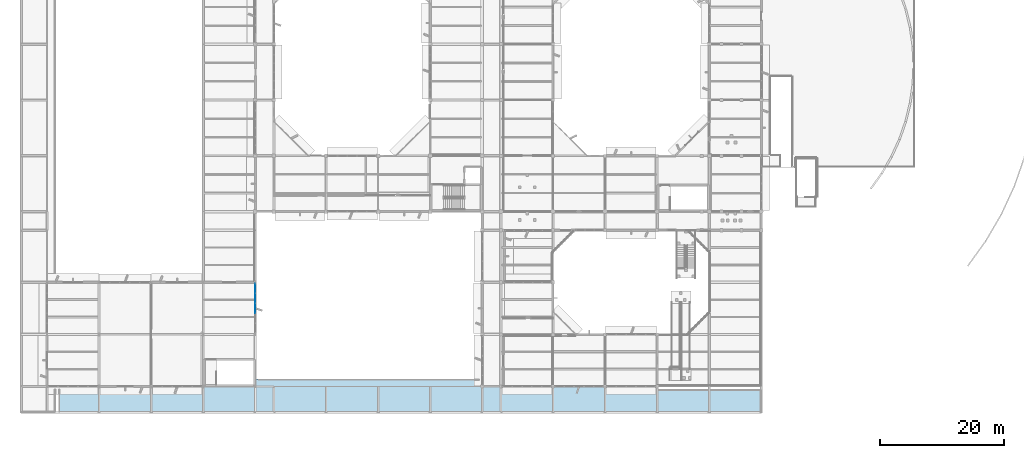
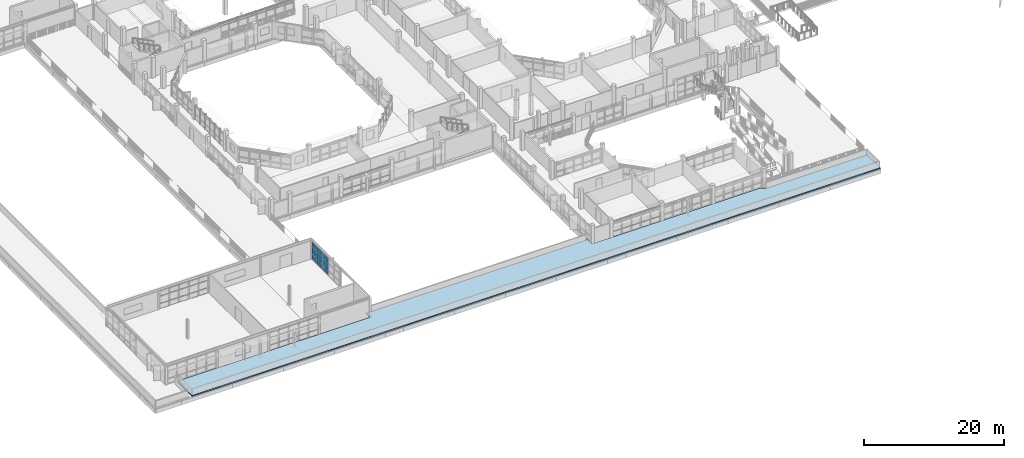
# One storey, part 44 of 92: 9 plates, 1 slab, 1 element without a shape of its own.
"""IFC4 building model written with IfcOpenShell, lengths in metres."""

from ifc_helpers import new_model, si_unit, direction, frame, origin, origin_2d, place, context, subcontext, project, spatial, polyline, rectangle, outline, extrude, material, layer, layer_set, type_object, element, aggregate, save


model = new_model("IFC4")

# Units and contexts
model_context = context("Model", 3, precision=1e-05, world=origin(), true_north=direction((0.0, 1.0)))
body_context = subcontext(model_context, "Body", "Model", "MODEL_VIEW")
ifc_project = project(units=[si_unit("LENGTHUNIT", "METRE"), si_unit("AREAUNIT", "SQUARE_METRE"), si_unit("VOLUMEUNIT", "CUBIC_METRE"), si_unit("PLANEANGLEUNIT", "RADIAN"), si_unit("MASSUNIT", "GRAM", prefix="KILO")], contexts=[model_context])

# Site, building, storey
site_placement = place(None, origin())
site = spatial("IfcSite", under=ifc_project, at=site_placement, CompositionType="ELEMENT")
building_placement = place(site_placement, origin())
building = spatial("IfcBuilding", under=site, at=building_placement, Name="Vanh Quang Courtyard School", CompositionType="ELEMENT")
storey_placement = place(building_placement, frame((0.0, 0.0, 7.800048828125)))
storey = spatial("IfcBuildingStorey", under=building, at=storey_placement, Name="L02", CompositionType="ELEMENT", Elevation=7.800048828125)

# Curtain wall, plates
ifc_material_1 = material(Name="Thermally broken aluminium unitised curtain wall", Category="aluminium")
curtain_wall_type = type_object("IfcCurtainWallType", Name="CW-SYS-46", PredefinedType="NOTDEFINED", material=ifc_material_1)
curtain_wall_placement = place(storey_placement, origin())
curtain_wall = element("IfcCurtainWall", 1, at=curtain_wall_placement, inside=storey, type_object=curtain_wall_type, Name="Curtain Wall CW-46 (L02)", PredefinedType="NOTDEFINED")
ifc_material_2 = material(Name="Low-E laminated double glazing", Category="glass")
ifc_layer_1 = layer(ifc_material_2, 0.031982421875)
ifc_layer_set_1 = layer_set([ifc_layer_1], Name="Low-E laminated double glazing")
plate_type = type_object("IfcPlateType", Name="CW-PNL-32", PredefinedType="CURTAIN_PANEL", material=ifc_layer_set_1)
plate_1_placement = place(storey_placement, frame((37.800048828125, 20.001708984375, 0.079833984375), z_axis=(0.0, 0.0, 1.0), x_axis=(0.0, -1.0, 0.0)))
plate_1 = element("IfcPlate", 2, at=plate_1_placement, type_object=plate_type, Name="CW-46 panel 1.1", PredefinedType="CURTAIN_PANEL", context=body_context, shape_type="SweptSolid", body=[
    extrude(rectangle(XDim=1.49072265625, YDim=0.031982421875, at=origin_2d()), origin(), (0.0, 0.0, 1.0), 0.830078125),
])
plate_2_placement = place(storey_placement, frame((37.800048828125, 20.001708984375, 0.98974609375), z_axis=(0.0, 0.0, 1.0), x_axis=(0.0, -1.0, 0.0)))
plate_2 = element("IfcPlate", 3, at=plate_2_placement, type_object=plate_type, Name="CW-46 panel 1.2", PredefinedType="CURTAIN_PANEL", context=body_context, shape_type="SweptSolid", body=[
    extrude(rectangle(XDim=1.49072265625, YDim=0.031982421875, at=origin_2d()), origin(), (0.0, 0.0, 1.0), 1.219970703125),
])
plate_3_placement = place(storey_placement, frame((37.800048828125, 20.001708984375, 2.289794921875), z_axis=(0.0, 0.0, 1.0), x_axis=(0.0, -1.0, 0.0)))
plate_3 = element("IfcPlate", 4, at=plate_3_placement, type_object=plate_type, Name="CW-46 panel 1.3", PredefinedType="CURTAIN_PANEL", context=body_context, shape_type="SweptSolid", body=[
    extrude(rectangle(XDim=1.49072265625, YDim=0.031982421875, at=origin_2d()), origin(), (0.0, 0.0, 1.0), 0.830078125),
])
plate_4_placement = place(storey_placement, frame((37.800048828125, 18.410888671875, 0.079833984375), z_axis=(0.0, 0.0, 1.0), x_axis=(0.0, -1.0, 0.0)))
plate_4 = element("IfcPlate", 5, at=plate_4_placement, type_object=plate_type, Name="CW-46 panel 2.1", PredefinedType="CURTAIN_PANEL", context=body_context, shape_type="SweptSolid", body=[
    extrude(rectangle(XDim=1.53076171875, YDim=0.031982421875, at=origin_2d()), origin(), (0.0, 0.0, 1.0), 0.830078125),
])
plate_5_placement = place(storey_placement, frame((37.800048828125, 18.410888671875, 0.98974609375), z_axis=(0.0, 0.0, 1.0), x_axis=(0.0, -1.0, 0.0)))
plate_5 = element("IfcPlate", 6, at=plate_5_placement, type_object=plate_type, Name="CW-46 panel 2.2", PredefinedType="CURTAIN_PANEL", context=body_context, shape_type="SweptSolid", body=[
    extrude(rectangle(XDim=1.53076171875, YDim=0.031982421875, at=origin_2d()), origin(), (0.0, 0.0, 1.0), 1.219970703125),
])
plate_6_placement = place(storey_placement, frame((37.800048828125, 18.410888671875, 2.289794921875), z_axis=(0.0, 0.0, 1.0), x_axis=(0.0, -1.0, 0.0)))
plate_6 = element("IfcPlate", 7, at=plate_6_placement, type_object=plate_type, Name="CW-46 panel 2.3", PredefinedType="CURTAIN_PANEL", context=body_context, shape_type="SweptSolid", body=[
    extrude(rectangle(XDim=1.53076171875, YDim=0.031982421875, at=origin_2d()), origin(), (0.0, 0.0, 1.0), 0.830078125),
])
plate_7_placement = place(storey_placement, frame((37.800048828125, 16.800048828125, 0.079833984375), z_axis=(0.0, 0.0, 1.0), x_axis=(0.0, -1.0, 0.0)))
plate_7 = element("IfcPlate", 8, at=plate_7_placement, type_object=plate_type, Name="CW-46 panel 3.1", PredefinedType="CURTAIN_PANEL", context=body_context, shape_type="SweptSolid", body=[
    extrude(rectangle(XDim=1.53076171875, YDim=0.031982421875, at=origin_2d()), origin(), (0.0, 0.0, 1.0), 0.830078125),
])
plate_8_placement = place(storey_placement, frame((37.800048828125, 16.800048828125, 0.98974609375), z_axis=(0.0, 0.0, 1.0), x_axis=(0.0, -1.0, 0.0)))
plate_8 = element("IfcPlate", 9, at=plate_8_placement, type_object=plate_type, Name="CW-46 panel 3.2", PredefinedType="CURTAIN_PANEL", context=body_context, shape_type="SweptSolid", body=[
    extrude(rectangle(XDim=1.53076171875, YDim=0.031982421875, at=origin_2d()), origin(), (0.0, 0.0, 1.0), 1.219970703125),
])
plate_9_placement = place(storey_placement, frame((37.800048828125, 16.800048828125, 2.289794921875), z_axis=(0.0, 0.0, 1.0), x_axis=(0.0, -1.0, 0.0)))
plate_9 = element("IfcPlate", 10, at=plate_9_placement, type_object=plate_type, Name="CW-46 panel 3.3", PredefinedType="CURTAIN_PANEL", context=body_context, shape_type="SweptSolid", body=[
    extrude(rectangle(XDim=1.53076171875, YDim=0.031982421875, at=origin_2d()), origin(), (0.0, 0.0, 1.0), 0.830078125),
])
aggregate(curtain_wall, [plate_1, plate_2, plate_3, plate_4, plate_5, plate_6, plate_7, plate_8, plate_9])

# Slab
ifc_material_3 = material(Name="Concrete C35/45", Category="concrete")
ifc_layer_2 = layer(ifc_material_3, 0.219970703125)
ifc_layer_set_2 = layer_set([ifc_layer_2], Name="Concrete C35/45")
slab_type = type_object("IfcSlabType", Name="SLB-ROOF-220", PredefinedType="ROOF", material=ifc_layer_set_2)
slab_placement = place(storey_placement, frame((0.0, 0.0, -0.219970703125)))
element("IfcSlab", 11, at=slab_placement, inside=storey, type_object=slab_type, Name="Slab SR-01 (L02)", PredefinedType="ROOF", context=body_context, shape_type="SweptSolid", body=[
    extrude(outline(polyline([(119.39990234375, 0.0), (119.39990234375, 3.75), (102.60009765625, 3.75), (102.555908203125, 3.752197265625), (102.51220703125, 3.758544921875), (102.469482421875, 3.769287109375), (102.427734375, 3.7841796875), (102.387939453125, 3.802978515625), (102.35009765625, 3.82568359375), (102.314453125, 3.85205078125), (102.28173828125, 3.8818359375), (102.252197265625, 3.91455078125), (102.225830078125, 3.949951171875), (102.203125, 3.98779296875), (102.184326171875, 4.02783203125), (102.16943359375, 4.0693359375), (102.15869140625, 4.1123046875), (102.153076171875, 4.14990234375), (74.39990234375, 4.14990234375), (74.380859375, 4.15380859375), (74.364501953125, 4.16455078125), (74.353759765625, 4.180908203125), (74.35009765625, 4.199951171875), (74.35009765625, 5.39990234375), (37.85009765625, 5.39990234375), (37.85009765625, 4.199951171875), (37.84619140625, 4.180908203125), (37.83544921875, 4.16455078125), (37.819091796875, 4.15380859375), (37.800048828125, 4.14990234375), (6.050048828125, 4.14990234375), (6.050048828125, 0.0), (119.39990234375, 0.0)])), origin(), (0.0, 0.0, 1.0), 0.219970703125),
])

save(model, "model.ifc")
